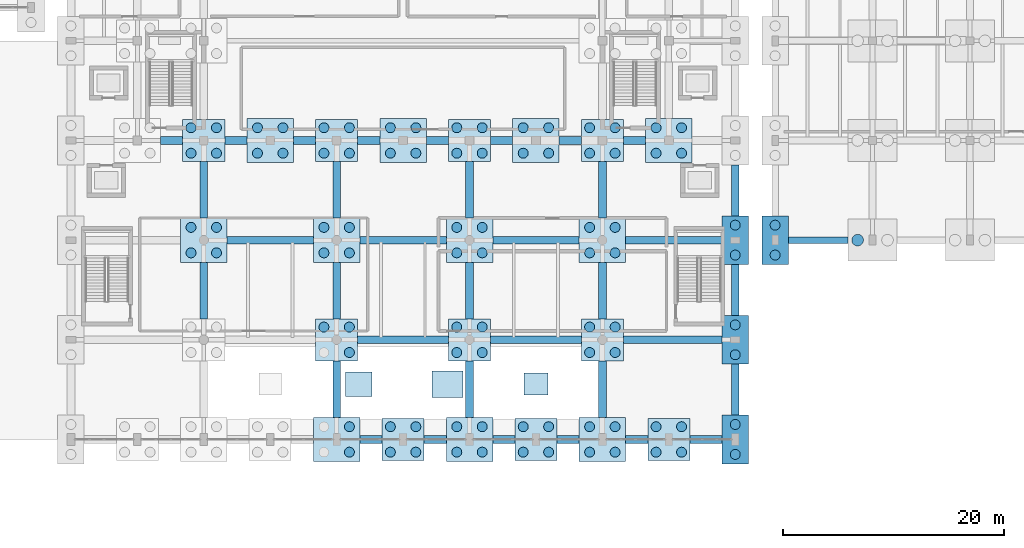
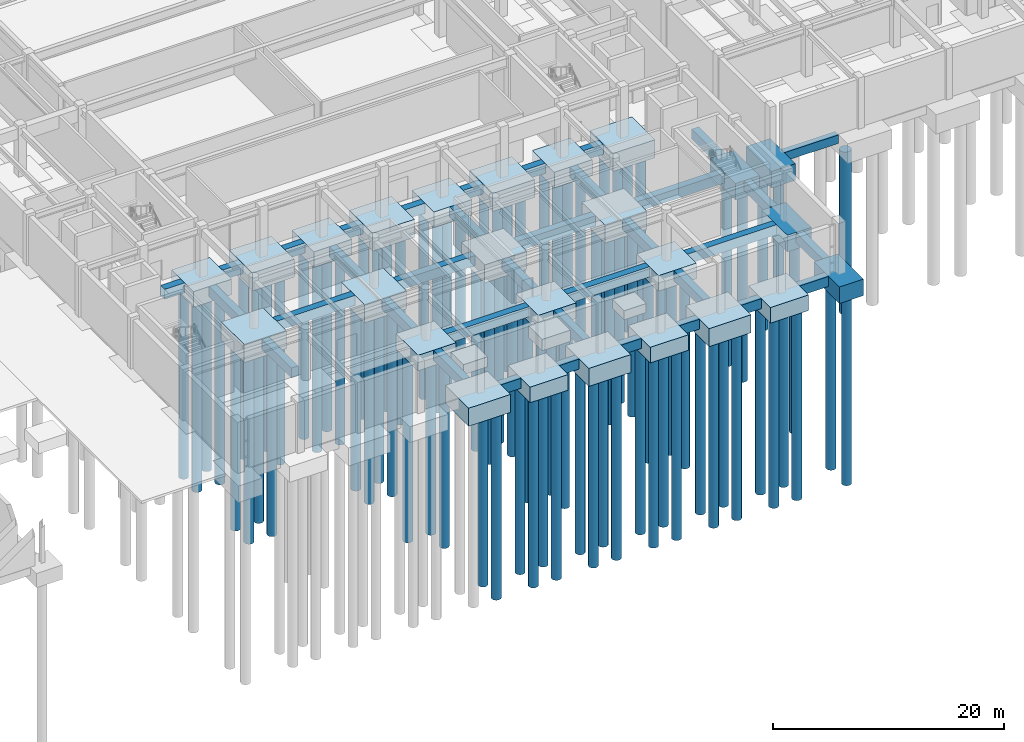
# One storey, part 3 of 69: 90 piles, 64 footings.
"""IFC4 building model written with IfcOpenShell, lengths in metres."""

from ifc_helpers import new_model, si_unit, direction, frame, origin, origin_2d, place, context, subcontext, project, spatial, rectangle, circle, extrude, material, material_profile, profile_set, type_object, element, save


model = new_model("IFC4")

# Units and contexts
model_context = context("Model", 3, precision=1e-05, world=origin(), true_north=direction((0.0, 1.0)))
body_context = subcontext(model_context, "Body", "Model", "MODEL_VIEW")
ifc_project = project(units=[si_unit("LENGTHUNIT", "METRE"), si_unit("AREAUNIT", "SQUARE_METRE"), si_unit("VOLUMEUNIT", "CUBIC_METRE"), si_unit("PLANEANGLEUNIT", "RADIAN"), si_unit("MASSUNIT", "GRAM", prefix="KILO")], contexts=[model_context])

# Site, building, storey
site_placement = place(None, origin())
site = spatial("IfcSite", under=ifc_project, at=site_placement, CompositionType="ELEMENT")
building_placement = place(site_placement, origin())
building = spatial("IfcBuilding", under=site, at=building_placement, Name="Vaelkrest Opera House", CompositionType="ELEMENT")
storey_placement = place(building_placement, frame((0.0, 0.0, -5.39990234375)))
storey = spatial("IfcBuildingStorey", under=building, at=storey_placement, Name="B1", CompositionType="ELEMENT", Elevation=-5.39990234375)

# Footings
ifc_material = material(Name="Concrete C40/50", Category="concrete")
footing_type_1 = type_object("IfcFootingType", Name="FB01", PredefinedType="FOOTING_BEAM", material=ifc_material)
footing_1_placement = place(storey_placement, frame((37.5, -37.800048828125, -0.900146484375), z_axis=(0.0, 0.0, 1.0), x_axis=(1.0, 0.0, 0.0)))
element("IfcFooting", 1, at=footing_1_placement, inside=storey, type_object=footing_type_1, Name="Footing tie beam FT-GB-0289", PredefinedType="FOOTING_BEAM", context=body_context, shape_type="SweptSolid", body=[
    extrude(rectangle(XDim=5.39990234375, YDim=0.60009765625, at=origin_2d()), origin(), (0.0, 0.0, 1.0), 0.89990234375),
])
footing_type_2 = type_object("IfcFootingType", Name="FB02", PredefinedType="FOOTING_BEAM", material=ifc_material)
for number, where, z_axis, x_axis, name in (
    (2, (-2.89990234375, -55.800048828125, -1.05029296875), (0.0, 0.0, 1.0), (1.0, 0.0, 0.0), "Footing tie beam FT-GB-0005"),
    (3, (2.89990234375, -55.800048828125, -1.05029296875), (0.0, 0.0, 1.0), (1.0, 0.0, 0.0), "Footing tie beam FT-GB-0006"),
    (4, (9.10009765625, -55.800048828125, -1.05029296875), (0.0, 0.0, 1.0), (1.0, 0.0, 0.0), "Footing tie beam FT-GB-0007"),
    (5, (14.89990234375, -55.800048828125, -1.05029296875), (0.0, 0.0, 1.0), (1.0, 0.0, 0.0), "Footing tie beam FT-GB-0008"),
    (6, (21.10009765625, -55.800048828125, -1.05029296875), (0.0, 0.0, 1.0), (1.0, 0.0, 0.0), "Footing tie beam FT-GB-0009"),
):
    element("IfcFooting", number, at=place(storey_placement, frame(where, z_axis=z_axis, x_axis=x_axis)), inside=storey, type_object=footing_type_2, Name=name, PredefinedType="FOOTING_BEAM", context=body_context, shape_type="SweptSolid", body=[
        extrude(rectangle(XDim=2.0, YDim=0.699951171875, at=origin_2d()), origin(), (0.0, 0.0, 1.0), 1.050048828125),
    ])
footing_2_placement = place(storey_placement, frame((27.35009765625, -55.800048828125, -1.05029296875), z_axis=(0.0, 0.0, 1.0), x_axis=(1.0, 0.0, 0.0)))
element("IfcFooting", 7, at=footing_2_placement, inside=storey, type_object=footing_type_2, Name="Footing tie beam FT-GB-0010", PredefinedType="FOOTING_BEAM", context=body_context, shape_type="SweptSolid", body=[
    extrude(rectangle(XDim=2.89990234375, YDim=0.699951171875, at=origin_2d()), origin(), (0.0, 0.0, 1.0), 1.050048828125),
])
for number, where, z_axis, x_axis, name in (
    (8, (0.0, -46.800048828125, -1.05029296875), (0.0, 0.0, 1.0), (1.0, 0.0, 0.0), "Footing tie beam FT-GB-0013"),
    (9, (12.0, -46.800048828125, -1.05029296875), (0.0, 0.0, 1.0), (1.0, 0.0, 0.0), "Footing tie beam FT-GB-0014"),
):
    element("IfcFooting", number, at=place(storey_placement, frame(where, z_axis=z_axis, x_axis=x_axis)), inside=storey, type_object=footing_type_2, Name=name, PredefinedType="FOOTING_BEAM", context=body_context, shape_type="SweptSolid", body=[
        extrude(rectangle(XDim=8.199951171875, YDim=0.699951171875, at=origin_2d()), origin(), (0.0, 0.0, 1.0), 1.050048828125),
    ])
footing_3_placement = place(storey_placement, frame((24.35009765625, -46.800048828125, -1.05029296875), z_axis=(0.0, 0.0, 1.0), x_axis=(1.0, 0.0, 0.0)))
element("IfcFooting", 10, at=footing_3_placement, inside=storey, type_object=footing_type_2, Name="Footing tie beam FT-GB-0015", PredefinedType="FOOTING_BEAM", context=body_context, shape_type="SweptSolid", body=[
    extrude(rectangle(XDim=8.89990234375, YDim=0.699951171875, at=origin_2d()), origin(), (0.0, 0.0, 1.0), 1.050048828125),
])
for number, where, z_axis, x_axis, name in (
    (11, (-12.0, -37.800048828125, -1.05029296875), (0.0, 0.0, 1.0), (1.0, 0.0, 0.0), "Footing tie beam FT-GB-0017"),
    (12, (0.0, -37.800048828125, -1.05029296875), (0.0, 0.0, 1.0), (1.0, 0.0, 0.0), "Footing tie beam FT-GB-0018"),
    (13, (12.0, -37.800048828125, -1.05029296875), (0.0, 0.0, 1.0), (1.0, 0.0, 0.0), "Footing tie beam FT-GB-0019"),
):
    element("IfcFooting", number, at=place(storey_placement, frame(where, z_axis=z_axis, x_axis=x_axis)), inside=storey, type_object=footing_type_2, Name=name, PredefinedType="FOOTING_BEAM", context=body_context, shape_type="SweptSolid", body=[
        extrude(rectangle(XDim=7.800048828125, YDim=0.699951171875, at=origin_2d()), origin(), (0.0, 0.0, 1.0), 1.050048828125),
    ])
footing_4_placement = place(storey_placement, frame((24.449951171875, -37.800048828125, -1.05029296875), z_axis=(0.0, 0.0, 1.0), x_axis=(1.0, 0.0, 0.0)))
element("IfcFooting", 14, at=footing_4_placement, inside=storey, type_object=footing_type_2, Name="Footing tie beam FT-GB-0020", PredefinedType="FOOTING_BEAM", context=body_context, shape_type="SweptSolid", body=[
    extrude(rectangle(XDim=8.699951171875, YDim=0.699951171875, at=origin_2d()), origin(), (0.0, 0.0, 1.0), 1.050048828125),
])
for number, where, z_axis, x_axis, name in (
    (15, (-20.89990234375, -28.800048828125, -1.05029296875), (0.0, 0.0, 1.0), (1.0, 0.0, 0.0), "Footing tie beam FT-GB-0022"),
    (16, (-15.10009765625, -28.800048828125, -1.05029296875), (0.0, 0.0, 1.0), (1.0, 0.0, 0.0), "Footing tie beam FT-GB-0023"),
    (17, (-8.89990234375, -28.800048828125, -1.05029296875), (0.0, 0.0, 1.0), (1.0, 0.0, 0.0), "Footing tie beam FT-GB-0024"),
    (18, (-3.10009765625, -28.800048828125, -1.05029296875), (0.0, 0.0, 1.0), (1.0, 0.0, 0.0), "Footing tie beam FT-GB-0025"),
    (19, (3.10009765625, -28.800048828125, -1.05029296875), (0.0, 0.0, 1.0), (1.0, 0.0, 0.0), "Footing tie beam FT-GB-0026"),
    (20, (8.89990234375, -28.800048828125, -1.05029296875), (0.0, 0.0, 1.0), (1.0, 0.0, 0.0), "Footing tie beam FT-GB-0027"),
    (21, (15.10009765625, -28.800048828125, -1.05029296875), (0.0, 0.0, 1.0), (1.0, 0.0, 0.0), "Footing tie beam FT-GB-0028"),
    (22, (20.89990234375, -28.800048828125, -1.05029296875), (0.0, 0.0, 1.0), (1.0, 0.0, 0.0), "Footing tie beam FT-GB-0029"),
):
    element("IfcFooting", number, at=place(storey_placement, frame(where, z_axis=z_axis, x_axis=x_axis)), inside=storey, type_object=footing_type_2, Name=name, PredefinedType="FOOTING_BEAM", context=body_context, shape_type="SweptSolid", body=[
        extrude(rectangle(XDim=2.0, YDim=0.699951171875, at=origin_2d()), origin(), (0.0, 0.0, 1.0), 1.050048828125),
    ])
for number, where, z_axis, x_axis, name in (
    (23, (-18.0, -42.35009765625, -1.05029296875), (0.0, 0.0, 1.0), (0.0, 1.0, 0.0), "Footing tie beam FT-GB-0070"),
    (24, (-18.0, -33.25, -1.05029296875), (0.0, 0.0, 1.0), (0.0, 1.0, 0.0), "Footing tie beam FT-GB-0071"),
    (25, (-6.0, -51.25, -1.05029296875), (0.0, 0.0, 1.0), (0.0, 1.0, 0.0), "Footing tie beam FT-GB-0077"),
    (26, (-6.0, -42.35009765625, -1.05029296875), (0.0, 0.0, 1.0), (0.0, 1.0, 0.0), "Footing tie beam FT-GB-0078"),
    (27, (-6.0, -33.25, -1.05029296875), (0.0, 0.0, 1.0), (0.0, 1.0, 0.0), "Footing tie beam FT-GB-0079"),
    (28, (6.0, -51.25, -1.05029296875), (0.0, 0.0, 1.0), (0.0, 1.0, 0.0), "Footing tie beam FT-GB-0080"),
    (29, (6.0, -42.35009765625, -1.05029296875), (0.0, 0.0, 1.0), (0.0, 1.0, 0.0), "Footing tie beam FT-GB-0081"),
    (30, (6.0, -33.25, -1.05029296875), (0.0, 0.0, 1.0), (0.0, 1.0, 0.0), "Footing tie beam FT-GB-0082"),
    (31, (18.0, -51.25, -1.05029296875), (0.0, 0.0, 1.0), (0.0, 1.0, 0.0), "Footing tie beam FT-GB-0083"),
    (32, (18.0, -42.35009765625, -1.05029296875), (0.0, 0.0, 1.0), (0.0, 1.0, 0.0), "Footing tie beam FT-GB-0084"),
    (33, (18.0, -33.25, -1.05029296875), (0.0, 0.0, 1.0), (0.0, 1.0, 0.0), "Footing tie beam FT-GB-0085"),
):
    element("IfcFooting", number, at=place(storey_placement, frame(where, z_axis=z_axis, x_axis=x_axis)), inside=storey, type_object=footing_type_2, Name=name, PredefinedType="FOOTING_BEAM", context=body_context, shape_type="SweptSolid", body=[
        extrude(rectangle(XDim=5.10009765625, YDim=0.699951171875, at=origin_2d()), origin(), (0.0, 0.0, 1.0), 1.050048828125),
    ])
for number, where, z_axis, x_axis, name in (
    (34, (30.0, -51.300048828125, -1.05029296875), (0.0, 0.0, 1.0), (0.0, 1.0, 0.0), "Footing tie beam FT-GB-0096"),
    (35, (30.0, -42.300048828125, -1.05029296875), (0.0, 0.0, 1.0), (0.0, 1.0, 0.0), "Footing tie beam FT-GB-0097"),
    (36, (30.0, -33.300048828125, -1.05029296875), (0.0, 0.0, 1.0), (0.0, 1.0, 0.0), "Footing tie beam FT-GB-0098"),
):
    element("IfcFooting", number, at=place(storey_placement, frame(where, z_axis=z_axis, x_axis=x_axis)), inside=storey, type_object=footing_type_2, Name=name, PredefinedType="FOOTING_BEAM", context=body_context, shape_type="SweptSolid", body=[
        extrude(rectangle(XDim=4.60009765625, YDim=0.699951171875, at=origin_2d()), origin(), (0.0, 0.0, 1.0), 1.050048828125),
    ])
footing_type_3 = type_object("IfcFootingType", Name="PC02", PredefinedType="PILE_CAP", material=ifc_material)
for number, where, z_axis, x_axis, name in (
    (37, (-18.0, -28.800048828125, -1.650146484375), (0.0, 0.0, 1.0), (1.0, 0.0, 0.0), "Pile cap FT-CAP-020"),
    (38, (-6.0, -46.800048828125, -1.650146484375), (0.0, 0.0, 1.0), (1.0, 0.0, 0.0), "Pile cap FT-CAP-030"),
    (39, (-6.0, -28.800048828125, -1.650146484375), (0.0, 0.0, 1.0), (1.0, 0.0, 0.0), "Pile cap FT-CAP-032"),
    (40, (0.0, -55.800048828125, -1.650146484375), (0.0, 0.0, 1.0), (1.0, 0.0, 0.0), "Pile cap FT-CAP-034"),
    (41, (6.0, -46.800048828125, -1.650146484375), (0.0, 0.0, 1.0), (1.0, 0.0, 0.0), "Pile cap FT-CAP-038"),
    (42, (6.0, -28.800048828125, -1.650146484375), (0.0, 0.0, 1.0), (1.0, 0.0, 0.0), "Pile cap FT-CAP-040"),
    (43, (12.0, -55.800048828125, -1.650146484375), (0.0, 0.0, 1.0), (1.0, 0.0, 0.0), "Pile cap FT-CAP-042"),
    (44, (18.0, -46.800048828125, -1.650146484375), (0.0, 0.0, 1.0), (1.0, 0.0, 0.0), "Pile cap FT-CAP-046"),
    (45, (18.0, -28.800048828125, -1.650146484375), (0.0, 0.0, 1.0), (1.0, 0.0, 0.0), "Pile cap FT-CAP-048"),
    (46, (24.0, -55.800048828125, -1.650146484375), (0.0, 0.0, 1.0), (1.0, 0.0, 0.0), "Pile cap FT-CAP-054"),
):
    element("IfcFooting", number, at=place(storey_placement, frame(where, z_axis=z_axis, x_axis=x_axis)), inside=storey, type_object=footing_type_3, Name=name, PredefinedType="PILE_CAP", context=body_context, shape_type="SweptSolid", body=[
        extrude(rectangle(XDim=3.800048828125, YDim=3.800048828125, at=origin_2d()), origin(), (0.0, 0.0, 1.0), 1.64990234375),
    ])
footing_type_4 = type_object("IfcFootingType", Name="PC04", PredefinedType="PILE_CAP", material=ifc_material)
for number, where, z_axis, x_axis, name in (
    (47, (-18.0, -37.800048828125, -1.900146484375), (0.0, 0.0, 1.0), (1.0, 0.0, 0.0), "Pile cap FT-CAP-019"),
    (48, (-12.0, -28.800048828125, -1.900146484375), (0.0, 0.0, 1.0), (1.0, 0.0, 0.0), "Pile cap FT-CAP-027"),
    (49, (-6.0, -55.800048828125, -1.900146484375), (0.0, 0.0, 1.0), (1.0, 0.0, 0.0), "Pile cap FT-CAP-029"),
    (50, (-6.0, -37.800048828125, -1.900146484375), (0.0, 0.0, 1.0), (1.0, 0.0, 0.0), "Pile cap FT-CAP-031"),
    (51, (0.0, -28.800048828125, -1.900146484375), (0.0, 0.0, 1.0), (1.0, 0.0, 0.0), "Pile cap FT-CAP-035"),
    (52, (6.0, -55.800048828125, -1.900146484375), (0.0, 0.0, 1.0), (1.0, 0.0, 0.0), "Pile cap FT-CAP-037"),
    (53, (6.0, -37.800048828125, -1.900146484375), (0.0, 0.0, 1.0), (1.0, 0.0, 0.0), "Pile cap FT-CAP-039"),
    (54, (12.0, -28.800048828125, -1.900146484375), (0.0, 0.0, 1.0), (1.0, 0.0, 0.0), "Pile cap FT-CAP-043"),
    (55, (18.0, -55.800048828125, -1.900146484375), (0.0, 0.0, 1.0), (1.0, 0.0, 0.0), "Pile cap FT-CAP-045"),
    (56, (18.0, -37.800048828125, -1.900146484375), (0.0, 0.0, 1.0), (1.0, 0.0, 0.0), "Pile cap FT-CAP-047"),
    (57, (24.0, -28.800048828125, -1.900146484375), (0.0, 0.0, 1.0), (1.0, 0.0, 0.0), "Pile cap FT-CAP-055"),
):
    element("IfcFooting", number, at=place(storey_placement, frame(where, z_axis=z_axis, x_axis=x_axis)), inside=storey, type_object=footing_type_4, Name=name, PredefinedType="PILE_CAP", context=body_context, shape_type="SweptSolid", body=[
        extrude(rectangle(XDim=4.199951171875, YDim=4.0, at=origin_2d()), origin(), (0.0, 0.0, 1.0), 1.89990234375),
    ])
footing_type_5 = type_object("IfcFootingType", Name="PC08", PredefinedType="PILE_CAP", material=ifc_material)
for number, where, z_axis, x_axis, name in (
    (58, (30.0, -55.800048828125, -1.75), (0.0, 0.0, 1.0), (1.0, 0.0, 0.0), "Pile cap FT-CAP-061"),
    (59, (30.0, -46.800048828125, -1.75), (0.0, 0.0, 1.0), (1.0, 0.0, 0.0), "Pile cap FT-CAP-062"),
    (60, (30.0, -37.800048828125, -1.75), (0.0, 0.0, 1.0), (1.0, 0.0, 0.0), "Pile cap FT-CAP-063"),
    (61, (33.60009765625, -37.800048828125, -1.75), (0.0, 0.0, 1.0), (1.0, 0.0, 0.0), "Pile cap FT-CAP-177"),
):
    element("IfcFooting", number, at=place(storey_placement, frame(where, z_axis=z_axis, x_axis=x_axis)), inside=storey, type_object=footing_type_5, Name=name, PredefinedType="PILE_CAP", context=body_context, shape_type="SweptSolid", body=[
        extrude(rectangle(XDim=2.39990234375, YDim=4.39990234375, at=origin_2d()), origin(), (0.0, 0.0, 1.0), 1.75),
    ])
footing_type_6 = type_object("IfcFootingType", Name="PF02", PredefinedType="PAD_FOOTING", material=ifc_material)
footing_5_placement = place(storey_placement, frame((-4.0, -50.800048828125, -1.05029296875), z_axis=(0.0, 0.0, 1.0), x_axis=(1.0, 0.0, 0.0)))
element("IfcFooting", 62, at=footing_5_placement, inside=storey, type_object=footing_type_6, Name="Pad footing FT-PAD-02", PredefinedType="PAD_FOOTING", context=body_context, shape_type="SweptSolid", body=[
    extrude(rectangle(XDim=2.39990234375, YDim=2.199951171875, at=origin_2d()), origin(), (0.0, 0.0, 1.0), 1.050048828125),
])
footing_type_7 = type_object("IfcFootingType", Name="PF03", PredefinedType="PAD_FOOTING", material=ifc_material)
footing_6_placement = place(storey_placement, frame((4.0, -50.800048828125, -1.2001953125), z_axis=(0.0, 0.0, 1.0), x_axis=(1.0, 0.0, 0.0)))
element("IfcFooting", 63, at=footing_6_placement, inside=storey, type_object=footing_type_7, Name="Pad footing FT-PAD-03", PredefinedType="PAD_FOOTING", context=body_context, shape_type="SweptSolid", body=[
    extrude(rectangle(XDim=2.800048828125, YDim=2.39990234375, at=origin_2d()), origin(), (0.0, 0.0, 1.0), 1.199951171875),
])
footing_type_8 = type_object("IfcFootingType", Name="PF04", PredefinedType="PAD_FOOTING", material=ifc_material)
footing_7_placement = place(storey_placement, frame((12.0, -50.800048828125, -0.9501953125), z_axis=(0.0, 0.0, 1.0), x_axis=(1.0, 0.0, 0.0)))
element("IfcFooting", 64, at=footing_7_placement, inside=storey, type_object=footing_type_8, Name="Pad footing FT-PAD-04", PredefinedType="PAD_FOOTING", context=body_context, shape_type="SweptSolid", body=[
    extrude(rectangle(XDim=2.199951171875, YDim=2.0, at=origin_2d()), origin(), (0.0, 0.0, 1.0), 0.949951171875),
])

# Piles
ifc_material_profile_1 = material_profile(ifc_material, circle(Radius=0.449951171875, at=origin_2d()), Name="PILE900")
ifc_profile_set_1 = profile_set([ifc_material_profile_1], Name="Concrete C40/50")
pile_type_1 = type_object("IfcPileType", Name="PL01", PredefinedType="BORED", material=ifc_profile_set_1)
for number, where, z_axis, x_axis, name in (
    (65, (-19.14990234375, -38.949951171875, -1.800048828125), (0.0, 0.0, -1.0), (1.0, 0.0, 0.0), "Bored pile PL-0055"),
    (66, (-16.85009765625, -38.949951171875, -1.800048828125), (0.0, 0.0, -1.0), (1.0, 0.0, 0.0), "Bored pile PL-0056"),
    (67, (-19.14990234375, -36.64990234375, -1.800048828125), (0.0, 0.0, -1.0), (1.0, 0.0, 0.0), "Bored pile PL-0057"),
    (68, (-16.85009765625, -36.64990234375, -1.800048828125), (0.0, 0.0, -1.0), (1.0, 0.0, 0.0), "Bored pile PL-0058"),
):
    element("IfcPile", number, at=place(storey_placement, frame(where, z_axis=z_axis, x_axis=x_axis)), inside=storey, type_object=pile_type_1, Name=name, PredefinedType="BORED", context=body_context, shape_type="SweptSolid", body=[
        extrude(circle(Radius=0.449951171875, at=origin_2d()), origin(), (0.0, 0.0, 1.0), 19.800048828125),
    ])
for number, where, z_axis, x_axis, name in (
    (69, (-19.14990234375, -29.949951171875, -1.550048828125), (0.0, 0.0, -1.0), (1.0, 0.0, 0.0), "Bored pile PL-0059"),
    (70, (-16.85009765625, -29.949951171875, -1.550048828125), (0.0, 0.0, -1.0), (1.0, 0.0, 0.0), "Bored pile PL-0060"),
    (71, (-19.14990234375, -27.64990234375, -1.550048828125), (0.0, 0.0, -1.0), (1.0, 0.0, 0.0), "Bored pile PL-0061"),
    (72, (-16.85009765625, -27.64990234375, -1.550048828125), (0.0, 0.0, -1.0), (1.0, 0.0, 0.0), "Bored pile PL-0062"),
):
    element("IfcPile", number, at=place(storey_placement, frame(where, z_axis=z_axis, x_axis=x_axis)), inside=storey, type_object=pile_type_1, Name=name, PredefinedType="BORED", context=body_context, shape_type="SweptSolid", body=[
        extrude(circle(Radius=0.449951171875, at=origin_2d()), origin(), (0.0, 0.0, 1.0), 20.050048828125),
    ])
for number, where, z_axis, x_axis, name in (
    (73, (-13.14990234375, -29.949951171875, -1.800048828125), (0.0, 0.0, -1.0), (1.0, 0.0, 0.0), "Bored pile PL-0087"),
    (74, (-10.85009765625, -29.949951171875, -1.800048828125), (0.0, 0.0, -1.0), (1.0, 0.0, 0.0), "Bored pile PL-0088"),
    (75, (-13.14990234375, -27.64990234375, -1.800048828125), (0.0, 0.0, -1.0), (1.0, 0.0, 0.0), "Bored pile PL-0089"),
    (76, (-10.85009765625, -27.64990234375, -1.800048828125), (0.0, 0.0, -1.0), (1.0, 0.0, 0.0), "Bored pile PL-0090"),
    (77, (-4.85009765625, -56.949951171875, -1.800048828125), (0.0, 0.0, -1.0), (1.0, 0.0, 0.0), "Bored pile PL-0096"),
    (78, (-4.85009765625, -54.64990234375, -1.800048828125), (0.0, 0.0, -1.0), (1.0, 0.0, 0.0), "Bored pile PL-0098"),
):
    element("IfcPile", number, at=place(storey_placement, frame(where, z_axis=z_axis, x_axis=x_axis)), inside=storey, type_object=pile_type_1, Name=name, PredefinedType="BORED", context=body_context, shape_type="SweptSolid", body=[
        extrude(circle(Radius=0.449951171875, at=origin_2d()), origin(), (0.0, 0.0, 1.0), 19.800048828125),
    ])
for number, where, z_axis, x_axis, name in (
    (79, (-4.85009765625, -47.949951171875, -1.550048828125), (0.0, 0.0, -1.0), (1.0, 0.0, 0.0), "Bored pile PL-0100"),
    (80, (-7.14990234375, -45.64990234375, -1.550048828125), (0.0, 0.0, -1.0), (1.0, 0.0, 0.0), "Bored pile PL-0101"),
    (81, (-4.85009765625, -45.64990234375, -1.550048828125), (0.0, 0.0, -1.0), (1.0, 0.0, 0.0), "Bored pile PL-0102"),
):
    element("IfcPile", number, at=place(storey_placement, frame(where, z_axis=z_axis, x_axis=x_axis)), inside=storey, type_object=pile_type_1, Name=name, PredefinedType="BORED", context=body_context, shape_type="SweptSolid", body=[
        extrude(circle(Radius=0.449951171875, at=origin_2d()), origin(), (0.0, 0.0, 1.0), 20.050048828125),
    ])
for number, where, z_axis, x_axis, name in (
    (82, (-7.14990234375, -38.949951171875, -1.800048828125), (0.0, 0.0, -1.0), (1.0, 0.0, 0.0), "Bored pile PL-0103"),
    (83, (-4.85009765625, -38.949951171875, -1.800048828125), (0.0, 0.0, -1.0), (1.0, 0.0, 0.0), "Bored pile PL-0104"),
    (84, (-7.14990234375, -36.64990234375, -1.800048828125), (0.0, 0.0, -1.0), (1.0, 0.0, 0.0), "Bored pile PL-0105"),
    (85, (-4.85009765625, -36.64990234375, -1.800048828125), (0.0, 0.0, -1.0), (1.0, 0.0, 0.0), "Bored pile PL-0106"),
):
    element("IfcPile", number, at=place(storey_placement, frame(where, z_axis=z_axis, x_axis=x_axis)), inside=storey, type_object=pile_type_1, Name=name, PredefinedType="BORED", context=body_context, shape_type="SweptSolid", body=[
        extrude(circle(Radius=0.449951171875, at=origin_2d()), origin(), (0.0, 0.0, 1.0), 19.800048828125),
    ])
for number, where, z_axis, x_axis, name in (
    (86, (-7.14990234375, -29.949951171875, -1.550048828125), (0.0, 0.0, -1.0), (1.0, 0.0, 0.0), "Bored pile PL-0107"),
    (87, (-4.85009765625, -29.949951171875, -1.550048828125), (0.0, 0.0, -1.0), (1.0, 0.0, 0.0), "Bored pile PL-0108"),
    (88, (-7.14990234375, -27.64990234375, -1.550048828125), (0.0, 0.0, -1.0), (1.0, 0.0, 0.0), "Bored pile PL-0109"),
    (89, (-4.85009765625, -27.64990234375, -1.550048828125), (0.0, 0.0, -1.0), (1.0, 0.0, 0.0), "Bored pile PL-0110"),
    (90, (-1.14990234375, -56.949951171875, -1.550048828125), (0.0, 0.0, -1.0), (1.0, 0.0, 0.0), "Bored pile PL-0115"),
    (91, (1.14990234375, -56.949951171875, -1.550048828125), (0.0, 0.0, -1.0), (1.0, 0.0, 0.0), "Bored pile PL-0116"),
    (92, (-1.14990234375, -54.64990234375, -1.550048828125), (0.0, 0.0, -1.0), (1.0, 0.0, 0.0), "Bored pile PL-0117"),
    (93, (1.14990234375, -54.64990234375, -1.550048828125), (0.0, 0.0, -1.0), (1.0, 0.0, 0.0), "Bored pile PL-0118"),
):
    element("IfcPile", number, at=place(storey_placement, frame(where, z_axis=z_axis, x_axis=x_axis)), inside=storey, type_object=pile_type_1, Name=name, PredefinedType="BORED", context=body_context, shape_type="SweptSolid", body=[
        extrude(circle(Radius=0.449951171875, at=origin_2d()), origin(), (0.0, 0.0, 1.0), 20.050048828125),
    ])
for number, where, z_axis, x_axis, name in (
    (94, (-1.14990234375, -29.949951171875, -1.800048828125), (0.0, 0.0, -1.0), (1.0, 0.0, 0.0), "Bored pile PL-0119"),
    (95, (1.14990234375, -29.949951171875, -1.800048828125), (0.0, 0.0, -1.0), (1.0, 0.0, 0.0), "Bored pile PL-0120"),
    (96, (-1.14990234375, -27.64990234375, -1.800048828125), (0.0, 0.0, -1.0), (1.0, 0.0, 0.0), "Bored pile PL-0121"),
    (97, (1.14990234375, -27.64990234375, -1.800048828125), (0.0, 0.0, -1.0), (1.0, 0.0, 0.0), "Bored pile PL-0122"),
    (98, (4.85009765625, -56.949951171875, -1.800048828125), (0.0, 0.0, -1.0), (1.0, 0.0, 0.0), "Bored pile PL-0127"),
    (99, (7.14990234375, -56.949951171875, -1.800048828125), (0.0, 0.0, -1.0), (1.0, 0.0, 0.0), "Bored pile PL-0128"),
    (100, (4.85009765625, -54.64990234375, -1.800048828125), (0.0, 0.0, -1.0), (1.0, 0.0, 0.0), "Bored pile PL-0129"),
    (101, (7.14990234375, -54.64990234375, -1.800048828125), (0.0, 0.0, -1.0), (1.0, 0.0, 0.0), "Bored pile PL-0130"),
):
    element("IfcPile", number, at=place(storey_placement, frame(where, z_axis=z_axis, x_axis=x_axis)), inside=storey, type_object=pile_type_1, Name=name, PredefinedType="BORED", context=body_context, shape_type="SweptSolid", body=[
        extrude(circle(Radius=0.449951171875, at=origin_2d()), origin(), (0.0, 0.0, 1.0), 19.800048828125),
    ])
for number, where, z_axis, x_axis, name in (
    (102, (4.85009765625, -47.949951171875, -1.550048828125), (0.0, 0.0, -1.0), (1.0, 0.0, 0.0), "Bored pile PL-0131"),
    (103, (7.14990234375, -47.949951171875, -1.550048828125), (0.0, 0.0, -1.0), (1.0, 0.0, 0.0), "Bored pile PL-0132"),
    (104, (4.85009765625, -45.64990234375, -1.550048828125), (0.0, 0.0, -1.0), (1.0, 0.0, 0.0), "Bored pile PL-0133"),
    (105, (7.14990234375, -45.64990234375, -1.550048828125), (0.0, 0.0, -1.0), (1.0, 0.0, 0.0), "Bored pile PL-0134"),
):
    element("IfcPile", number, at=place(storey_placement, frame(where, z_axis=z_axis, x_axis=x_axis)), inside=storey, type_object=pile_type_1, Name=name, PredefinedType="BORED", context=body_context, shape_type="SweptSolid", body=[
        extrude(circle(Radius=0.449951171875, at=origin_2d()), origin(), (0.0, 0.0, 1.0), 20.050048828125),
    ])
for number, where, z_axis, x_axis, name in (
    (106, (4.85009765625, -38.949951171875, -1.800048828125), (0.0, 0.0, -1.0), (1.0, 0.0, 0.0), "Bored pile PL-0135"),
    (107, (7.14990234375, -38.949951171875, -1.800048828125), (0.0, 0.0, -1.0), (1.0, 0.0, 0.0), "Bored pile PL-0136"),
    (108, (4.85009765625, -36.64990234375, -1.800048828125), (0.0, 0.0, -1.0), (1.0, 0.0, 0.0), "Bored pile PL-0137"),
    (109, (7.14990234375, -36.64990234375, -1.800048828125), (0.0, 0.0, -1.0), (1.0, 0.0, 0.0), "Bored pile PL-0138"),
):
    element("IfcPile", number, at=place(storey_placement, frame(where, z_axis=z_axis, x_axis=x_axis)), inside=storey, type_object=pile_type_1, Name=name, PredefinedType="BORED", context=body_context, shape_type="SweptSolid", body=[
        extrude(circle(Radius=0.449951171875, at=origin_2d()), origin(), (0.0, 0.0, 1.0), 19.800048828125),
    ])
for number, where, z_axis, x_axis, name in (
    (110, (4.85009765625, -29.949951171875, -1.550048828125), (0.0, 0.0, -1.0), (1.0, 0.0, 0.0), "Bored pile PL-0139"),
    (111, (7.14990234375, -29.949951171875, -1.550048828125), (0.0, 0.0, -1.0), (1.0, 0.0, 0.0), "Bored pile PL-0140"),
    (112, (4.85009765625, -27.64990234375, -1.550048828125), (0.0, 0.0, -1.0), (1.0, 0.0, 0.0), "Bored pile PL-0141"),
    (113, (7.14990234375, -27.64990234375, -1.550048828125), (0.0, 0.0, -1.0), (1.0, 0.0, 0.0), "Bored pile PL-0142"),
    (114, (10.85009765625, -56.949951171875, -1.550048828125), (0.0, 0.0, -1.0), (1.0, 0.0, 0.0), "Bored pile PL-0147"),
    (115, (13.14990234375, -56.949951171875, -1.550048828125), (0.0, 0.0, -1.0), (1.0, 0.0, 0.0), "Bored pile PL-0148"),
    (116, (10.85009765625, -54.64990234375, -1.550048828125), (0.0, 0.0, -1.0), (1.0, 0.0, 0.0), "Bored pile PL-0149"),
    (117, (13.14990234375, -54.64990234375, -1.550048828125), (0.0, 0.0, -1.0), (1.0, 0.0, 0.0), "Bored pile PL-0150"),
):
    element("IfcPile", number, at=place(storey_placement, frame(where, z_axis=z_axis, x_axis=x_axis)), inside=storey, type_object=pile_type_1, Name=name, PredefinedType="BORED", context=body_context, shape_type="SweptSolid", body=[
        extrude(circle(Radius=0.449951171875, at=origin_2d()), origin(), (0.0, 0.0, 1.0), 20.050048828125),
    ])
for number, where, z_axis, x_axis, name in (
    (118, (10.85009765625, -29.949951171875, -1.800048828125), (0.0, 0.0, -1.0), (1.0, 0.0, 0.0), "Bored pile PL-0151"),
    (119, (13.14990234375, -29.949951171875, -1.800048828125), (0.0, 0.0, -1.0), (1.0, 0.0, 0.0), "Bored pile PL-0152"),
    (120, (10.85009765625, -27.64990234375, -1.800048828125), (0.0, 0.0, -1.0), (1.0, 0.0, 0.0), "Bored pile PL-0153"),
    (121, (13.14990234375, -27.64990234375, -1.800048828125), (0.0, 0.0, -1.0), (1.0, 0.0, 0.0), "Bored pile PL-0154"),
    (122, (16.85009765625, -56.949951171875, -1.800048828125), (0.0, 0.0, -1.0), (1.0, 0.0, 0.0), "Bored pile PL-0159"),
    (123, (19.14990234375, -56.949951171875, -1.800048828125), (0.0, 0.0, -1.0), (1.0, 0.0, 0.0), "Bored pile PL-0160"),
    (124, (16.85009765625, -54.64990234375, -1.800048828125), (0.0, 0.0, -1.0), (1.0, 0.0, 0.0), "Bored pile PL-0161"),
    (125, (19.14990234375, -54.64990234375, -1.800048828125), (0.0, 0.0, -1.0), (1.0, 0.0, 0.0), "Bored pile PL-0162"),
):
    element("IfcPile", number, at=place(storey_placement, frame(where, z_axis=z_axis, x_axis=x_axis)), inside=storey, type_object=pile_type_1, Name=name, PredefinedType="BORED", context=body_context, shape_type="SweptSolid", body=[
        extrude(circle(Radius=0.449951171875, at=origin_2d()), origin(), (0.0, 0.0, 1.0), 19.800048828125),
    ])
for number, where, z_axis, x_axis, name in (
    (126, (16.85009765625, -47.949951171875, -1.550048828125), (0.0, 0.0, -1.0), (1.0, 0.0, 0.0), "Bored pile PL-0163"),
    (127, (19.14990234375, -47.949951171875, -1.550048828125), (0.0, 0.0, -1.0), (1.0, 0.0, 0.0), "Bored pile PL-0164"),
    (128, (16.85009765625, -45.64990234375, -1.550048828125), (0.0, 0.0, -1.0), (1.0, 0.0, 0.0), "Bored pile PL-0165"),
    (129, (19.14990234375, -45.64990234375, -1.550048828125), (0.0, 0.0, -1.0), (1.0, 0.0, 0.0), "Bored pile PL-0166"),
):
    element("IfcPile", number, at=place(storey_placement, frame(where, z_axis=z_axis, x_axis=x_axis)), inside=storey, type_object=pile_type_1, Name=name, PredefinedType="BORED", context=body_context, shape_type="SweptSolid", body=[
        extrude(circle(Radius=0.449951171875, at=origin_2d()), origin(), (0.0, 0.0, 1.0), 20.050048828125),
    ])
for number, where, z_axis, x_axis, name in (
    (130, (16.85009765625, -38.949951171875, -1.800048828125), (0.0, 0.0, -1.0), (1.0, 0.0, 0.0), "Bored pile PL-0167"),
    (131, (19.14990234375, -38.949951171875, -1.800048828125), (0.0, 0.0, -1.0), (1.0, 0.0, 0.0), "Bored pile PL-0168"),
    (132, (16.85009765625, -36.64990234375, -1.800048828125), (0.0, 0.0, -1.0), (1.0, 0.0, 0.0), "Bored pile PL-0169"),
    (133, (19.14990234375, -36.64990234375, -1.800048828125), (0.0, 0.0, -1.0), (1.0, 0.0, 0.0), "Bored pile PL-0170"),
):
    element("IfcPile", number, at=place(storey_placement, frame(where, z_axis=z_axis, x_axis=x_axis)), inside=storey, type_object=pile_type_1, Name=name, PredefinedType="BORED", context=body_context, shape_type="SweptSolid", body=[
        extrude(circle(Radius=0.449951171875, at=origin_2d()), origin(), (0.0, 0.0, 1.0), 19.800048828125),
    ])
for number, where, z_axis, x_axis, name in (
    (134, (16.85009765625, -29.949951171875, -1.550048828125), (0.0, 0.0, -1.0), (1.0, 0.0, 0.0), "Bored pile PL-0171"),
    (135, (19.14990234375, -29.949951171875, -1.550048828125), (0.0, 0.0, -1.0), (1.0, 0.0, 0.0), "Bored pile PL-0172"),
    (136, (16.85009765625, -27.64990234375, -1.550048828125), (0.0, 0.0, -1.0), (1.0, 0.0, 0.0), "Bored pile PL-0173"),
    (137, (19.14990234375, -27.64990234375, -1.550048828125), (0.0, 0.0, -1.0), (1.0, 0.0, 0.0), "Bored pile PL-0174"),
    (138, (22.85009765625, -56.949951171875, -1.550048828125), (0.0, 0.0, -1.0), (1.0, 0.0, 0.0), "Bored pile PL-0195"),
    (139, (25.14990234375, -56.949951171875, -1.550048828125), (0.0, 0.0, -1.0), (1.0, 0.0, 0.0), "Bored pile PL-0196"),
    (140, (22.85009765625, -54.64990234375, -1.550048828125), (0.0, 0.0, -1.0), (1.0, 0.0, 0.0), "Bored pile PL-0197"),
    (141, (25.14990234375, -54.64990234375, -1.550048828125), (0.0, 0.0, -1.0), (1.0, 0.0, 0.0), "Bored pile PL-0198"),
):
    element("IfcPile", number, at=place(storey_placement, frame(where, z_axis=z_axis, x_axis=x_axis)), inside=storey, type_object=pile_type_1, Name=name, PredefinedType="BORED", context=body_context, shape_type="SweptSolid", body=[
        extrude(circle(Radius=0.449951171875, at=origin_2d()), origin(), (0.0, 0.0, 1.0), 20.050048828125),
    ])
for number, where, z_axis, x_axis, name in (
    (142, (22.85009765625, -29.949951171875, -1.800048828125), (0.0, 0.0, -1.0), (1.0, 0.0, 0.0), "Bored pile PL-0199"),
    (143, (25.14990234375, -29.949951171875, -1.800048828125), (0.0, 0.0, -1.0), (1.0, 0.0, 0.0), "Bored pile PL-0200"),
    (144, (22.85009765625, -27.64990234375, -1.800048828125), (0.0, 0.0, -1.0), (1.0, 0.0, 0.0), "Bored pile PL-0201"),
    (145, (25.14990234375, -27.64990234375, -1.800048828125), (0.0, 0.0, -1.0), (1.0, 0.0, 0.0), "Bored pile PL-0202"),
):
    element("IfcPile", number, at=place(storey_placement, frame(where, z_axis=z_axis, x_axis=x_axis)), inside=storey, type_object=pile_type_1, Name=name, PredefinedType="BORED", context=body_context, shape_type="SweptSolid", body=[
        extrude(circle(Radius=0.449951171875, at=origin_2d()), origin(), (0.0, 0.0, 1.0), 19.800048828125),
    ])
for number, where, z_axis, x_axis, name in (
    (146, (30.0, -57.14990234375, -1.650146484375), (0.0, 0.0, -1.0), (1.0, 0.0, 0.0), "Bored pile PL-0223"),
    (147, (30.0, -54.449951171875, -1.650146484375), (0.0, 0.0, -1.0), (1.0, 0.0, 0.0), "Bored pile PL-0224"),
    (148, (30.0, -48.14990234375, -1.650146484375), (0.0, 0.0, -1.0), (1.0, 0.0, 0.0), "Bored pile PL-0225"),
    (149, (30.0, -45.449951171875, -1.650146484375), (0.0, 0.0, -1.0), (1.0, 0.0, 0.0), "Bored pile PL-0226"),
    (150, (30.0, -39.14990234375, -1.650146484375), (0.0, 0.0, -1.0), (1.0, 0.0, 0.0), "Bored pile PL-0227"),
    (151, (30.0, -36.449951171875, -1.650146484375), (0.0, 0.0, -1.0), (1.0, 0.0, 0.0), "Bored pile PL-0228"),
):
    element("IfcPile", number, at=place(storey_placement, frame(where, z_axis=z_axis, x_axis=x_axis)), inside=storey, type_object=pile_type_1, Name=name, PredefinedType="BORED", context=body_context, shape_type="SweptSolid", body=[
        extrude(circle(Radius=0.449951171875, at=origin_2d()), origin(), (0.0, 0.0, 1.0), 19.949951171875),
    ])
for number, where, z_axis, x_axis, name in (
    (152, (33.60009765625, -39.14990234375, -1.650146484375), (0.0, 0.0, -1.0), (1.0, 0.0, 0.0), "Bored pile PL-0541"),
    (153, (33.60009765625, -36.449951171875, -1.650146484375), (0.0, 0.0, -1.0), (1.0, 0.0, 0.0), "Bored pile PL-0542"),
):
    element("IfcPile", number, at=place(storey_placement, frame(where, z_axis=z_axis, x_axis=x_axis)), inside=storey, type_object=pile_type_1, Name=name, PredefinedType="BORED", context=body_context, shape_type="SweptSolid", body=[
        extrude(circle(Radius=0.449951171875, at=origin_2d()), origin(), (0.0, 0.0, 1.0), 17.449951171875),
    ])
ifc_material_profile_2 = material_profile(ifc_material, circle(Radius=0.52490234375, at=origin_2d()), Name="PILE1050")
ifc_profile_set_2 = profile_set([ifc_material_profile_2], Name="Concrete C40/50")
pile_type_2 = type_object("IfcPileType", Name="PL02", PredefinedType="BORED", material=ifc_profile_set_2)
pile_placement = place(storey_placement, frame((41.050048828125, -37.800048828125, -1.9501953125), z_axis=(0.0, 0.0, -1.0), x_axis=(1.0, 0.0, 0.0)))
element("IfcPile", 154, at=pile_placement, inside=storey, type_object=pile_type_2, Name="Bored pile PL-0559", PredefinedType="BORED", context=body_context, shape_type="SweptSolid", body=[
    extrude(circle(Radius=0.52490234375, at=origin_2d()), origin(), (0.0, 0.0, 1.0), 17.14990234375),
])

save(model, "model.ifc")
